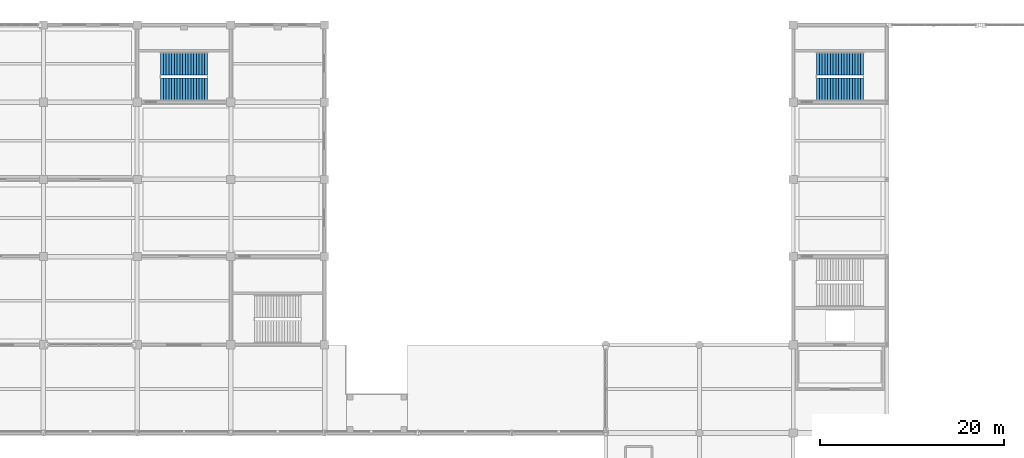
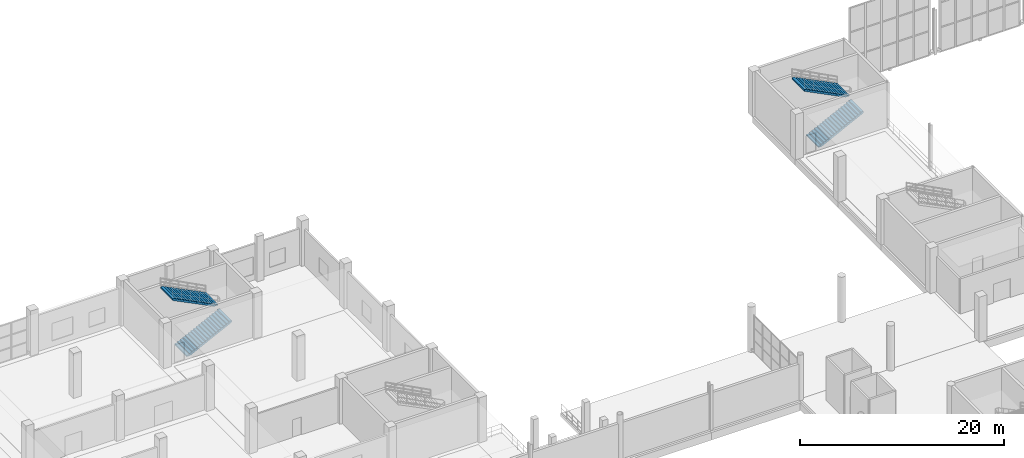
# One storey, part 141 of 175: 4 stair flights, 2 elements without a shape of their own.
"""IFC4 building model written with IfcOpenShell, lengths in metres."""

from ifc_helpers import new_model, si_unit, direction, frame, origin, place, context, subcontext, project, spatial, polyline, outline, extrude, material, type_object, element, aggregate, save


model = new_model("IFC4")

# Units and contexts
model_context = context("Model", 3, precision=1e-05, world=origin(), true_north=direction((0.0, 1.0)))
body_context = subcontext(model_context, "Body", "Model", "MODEL_VIEW")
ifc_project = project(units=[si_unit("LENGTHUNIT", "METRE"), si_unit("AREAUNIT", "SQUARE_METRE"), si_unit("VOLUMEUNIT", "CUBIC_METRE"), si_unit("PLANEANGLEUNIT", "RADIAN"), si_unit("MASSUNIT", "GRAM", prefix="KILO")], contexts=[model_context])

# Site, building, storey
site_placement = place(None, origin())
site = spatial("IfcSite", under=ifc_project, at=site_placement, CompositionType="ELEMENT")
building_placement = place(site_placement, origin())
building = spatial("IfcBuilding", under=site, at=building_placement, Name="Brelvane Convention Centre", CompositionType="ELEMENT")
storey_placement = place(building_placement, frame((0.0, 0.0, 5.39990234375)))
storey = spatial("IfcBuildingStorey", under=building, at=storey_placement, Name="L01", CompositionType="ELEMENT", Elevation=5.39990234375)

# Stair, stair flights
ifc_material_1 = material(Name="Concrete M40", Category="concrete")
stair_type = type_object("IfcStairType", Name="Exit Stair ST-CORE", PredefinedType="HALF_TURN_STAIR", material=ifc_material_1)
stair_1_placement = place(storey_placement, origin())
stair_1 = element("IfcStair", 1, at=stair_1_placement, inside=storey, type_object=stair_type, Name="Exit Stair ST-11 (L01 to L02)", PredefinedType="HALF_TURN_STAIR")
ifc_material_2 = material(Name="Concrete M40", Category="concrete")
stair_flight_type = type_object("IfcStairFlightType", Name="Stair Flight SF-C18", PredefinedType="STRAIGHT", material=ifc_material_2)
stair_flight_1_placement = place(storey_placement, frame((165.75, 137.030029296875, 0.0), z_axis=(0.0, 0.0, 1.0), x_axis=(1.0, 0.0, 0.0)))
stair_flight_1 = element("IfcStairFlight", 2, at=stair_flight_1_placement, type_object=stair_flight_type, Name="Stair ST-11 L01 Flight 1", NumberOfRisers=18, NumberOfTreads=17, PredefinedType="STRAIGHT", RiserHeight=0.15, TreadLength=0.3, context=body_context, shape_type="SweptSolid", body=[
    extrude(outline(polyline([(0.0, 0.0), (0.0, 0.14990234375), (0.300048828125, 0.14990234375), (0.300048828125, 0.300048828125), (0.60009765625, 0.300048828125), (0.60009765625, 0.449951171875), (0.89990234375, 0.449951171875), (0.89990234375, 0.60009765625), (1.199951171875, 0.60009765625), (1.199951171875, 0.75), (1.5, 0.75), (1.5, 0.89990234375), (1.800048828125, 0.89990234375), (1.800048828125, 1.050048828125), (2.10009765625, 1.050048828125), (2.10009765625, 1.199951171875), (2.39990234375, 1.199951171875), (2.39990234375, 1.35009765625), (2.699951171875, 1.35009765625), (2.699951171875, 1.5), (3.0, 1.5), (3.0, 1.64990234375), (3.300048828125, 1.64990234375), (3.300048828125, 1.800048828125), (3.60009765625, 1.800048828125), (3.60009765625, 1.949951171875), (3.89990234375, 1.949951171875), (3.89990234375, 2.10009765625), (4.199951171875, 2.10009765625), (4.199951171875, 2.25), (4.5, 2.25), (4.5, 2.39990234375), (4.800048828125, 2.39990234375), (4.800048828125, 2.550048828125), (5.10009765625, 2.550048828125), (5.10009765625, 2.699951171875), (5.10009765625, 2.348876953125), (0.40234375, 0.0), (0.0, 0.0)])), frame((0.0, 1.18994140625, 0.0), z_axis=(0.0, -1.0, 0.0), x_axis=(1.0, 0.0, 0.0)), (0.0, 0.0, 1.0), 2.3798828125),
])
stair_flight_2_placement = place(storey_placement, frame((170.85009765625, 139.77001953125, 2.7001953125), z_axis=(0.0, 0.0, 1.0), x_axis=(-1.0, 0.0, 0.0)))
stair_flight_2 = element("IfcStairFlight", 3, at=stair_flight_2_placement, type_object=stair_flight_type, Name="Stair ST-11 L01 Flight 2", NumberOfRisers=18, NumberOfTreads=17, PredefinedType="STRAIGHT", RiserHeight=0.15, TreadLength=0.3, context=body_context, shape_type="SweptSolid", body=[
    extrude(outline(polyline([(0.0, 0.0), (0.0, 0.14990234375), (0.300048828125, 0.14990234375), (0.300048828125, 0.300048828125), (0.60009765625, 0.300048828125), (0.60009765625, 0.449951171875), (0.89990234375, 0.449951171875), (0.89990234375, 0.60009765625), (1.199951171875, 0.60009765625), (1.199951171875, 0.75), (1.5, 0.75), (1.5, 0.89990234375), (1.800048828125, 0.89990234375), (1.800048828125, 1.050048828125), (2.10009765625, 1.050048828125), (2.10009765625, 1.199951171875), (2.39990234375, 1.199951171875), (2.39990234375, 1.35009765625), (2.699951171875, 1.35009765625), (2.699951171875, 1.5), (3.0, 1.5), (3.0, 1.64990234375), (3.300048828125, 1.64990234375), (3.300048828125, 1.800048828125), (3.60009765625, 1.800048828125), (3.60009765625, 1.949951171875), (3.89990234375, 1.949951171875), (3.89990234375, 2.10009765625), (4.199951171875, 2.10009765625), (4.199951171875, 2.25), (4.5, 2.25), (4.5, 2.39990234375), (4.800048828125, 2.39990234375), (4.800048828125, 2.550048828125), (5.10009765625, 2.550048828125), (5.10009765625, 2.699951171875), (5.10009765625, 2.348876953125), (0.40234375, 0.0), (0.0, 0.0)])), frame((0.0, 1.18994140625, 0.0), z_axis=(0.0, -1.0, 0.0), x_axis=(1.0, 0.0, 0.0)), (0.0, 0.0, 1.0), 2.3798828125),
])
aggregate(stair_1, [stair_flight_1, stair_flight_2])

stair_2_placement = place(storey_placement, origin())
stair_2 = element("IfcStair", 4, at=stair_2_placement, inside=storey, type_object=stair_type, Name="Exit Stair ST-12 (L01 to L02)", PredefinedType="HALF_TURN_STAIR")
stair_flight_3_placement = place(storey_placement, frame((94.35009765625, 137.030029296875, 0.0), z_axis=(0.0, 0.0, 1.0), x_axis=(1.0, 0.0, 0.0)))
stair_flight_3 = element("IfcStairFlight", 5, at=stair_flight_3_placement, type_object=stair_flight_type, Name="Stair ST-12 L01 Flight 1", NumberOfRisers=18, NumberOfTreads=17, PredefinedType="STRAIGHT", RiserHeight=0.15, TreadLength=0.3, context=body_context, shape_type="SweptSolid", body=[
    extrude(outline(polyline([(0.0, 0.0), (0.0, 0.14990234375), (0.300048828125, 0.14990234375), (0.300048828125, 0.300048828125), (0.60009765625, 0.300048828125), (0.60009765625, 0.449951171875), (0.89990234375, 0.449951171875), (0.89990234375, 0.60009765625), (1.199951171875, 0.60009765625), (1.199951171875, 0.75), (1.5, 0.75), (1.5, 0.89990234375), (1.800048828125, 0.89990234375), (1.800048828125, 1.050048828125), (2.10009765625, 1.050048828125), (2.10009765625, 1.199951171875), (2.39990234375, 1.199951171875), (2.39990234375, 1.35009765625), (2.699951171875, 1.35009765625), (2.699951171875, 1.5), (3.0, 1.5), (3.0, 1.64990234375), (3.300048828125, 1.64990234375), (3.300048828125, 1.800048828125), (3.60009765625, 1.800048828125), (3.60009765625, 1.949951171875), (3.89990234375, 1.949951171875), (3.89990234375, 2.10009765625), (4.199951171875, 2.10009765625), (4.199951171875, 2.25), (4.5, 2.25), (4.5, 2.39990234375), (4.800048828125, 2.39990234375), (4.800048828125, 2.550048828125), (5.10009765625, 2.550048828125), (5.10009765625, 2.699951171875), (5.10009765625, 2.348876953125), (0.40234375, 0.0), (0.0, 0.0)])), frame((0.0, 1.18994140625, 0.0), z_axis=(0.0, -1.0, 0.0), x_axis=(1.0, 0.0, 0.0)), (0.0, 0.0, 1.0), 2.3798828125),
])
stair_flight_4_placement = place(storey_placement, frame((99.449951171875, 139.77001953125, 2.7001953125), z_axis=(0.0, 0.0, 1.0), x_axis=(-1.0, 0.0, 0.0)))
stair_flight_4 = element("IfcStairFlight", 6, at=stair_flight_4_placement, type_object=stair_flight_type, Name="Stair ST-12 L01 Flight 2", NumberOfRisers=18, NumberOfTreads=17, PredefinedType="STRAIGHT", RiserHeight=0.15, TreadLength=0.3, context=body_context, shape_type="SweptSolid", body=[
    extrude(outline(polyline([(0.0, 0.0), (0.0, 0.14990234375), (0.300048828125, 0.14990234375), (0.300048828125, 0.300048828125), (0.60009765625, 0.300048828125), (0.60009765625, 0.449951171875), (0.89990234375, 0.449951171875), (0.89990234375, 0.60009765625), (1.199951171875, 0.60009765625), (1.199951171875, 0.75), (1.5, 0.75), (1.5, 0.89990234375), (1.800048828125, 0.89990234375), (1.800048828125, 1.050048828125), (2.10009765625, 1.050048828125), (2.10009765625, 1.199951171875), (2.39990234375, 1.199951171875), (2.39990234375, 1.35009765625), (2.699951171875, 1.35009765625), (2.699951171875, 1.5), (3.0, 1.5), (3.0, 1.64990234375), (3.300048828125, 1.64990234375), (3.300048828125, 1.800048828125), (3.60009765625, 1.800048828125), (3.60009765625, 1.949951171875), (3.89990234375, 1.949951171875), (3.89990234375, 2.10009765625), (4.199951171875, 2.10009765625), (4.199951171875, 2.25), (4.5, 2.25), (4.5, 2.39990234375), (4.800048828125, 2.39990234375), (4.800048828125, 2.550048828125), (5.10009765625, 2.550048828125), (5.10009765625, 2.699951171875), (5.10009765625, 2.348876953125), (0.40234375, 0.0), (0.0, 0.0)])), frame((0.0, 1.18994140625, 0.0), z_axis=(0.0, -1.0, 0.0), x_axis=(1.0, 0.0, 0.0)), (0.0, 0.0, 1.0), 2.3798828125),
])
aggregate(stair_2, [stair_flight_3, stair_flight_4])

save(model, "model.ifc")
